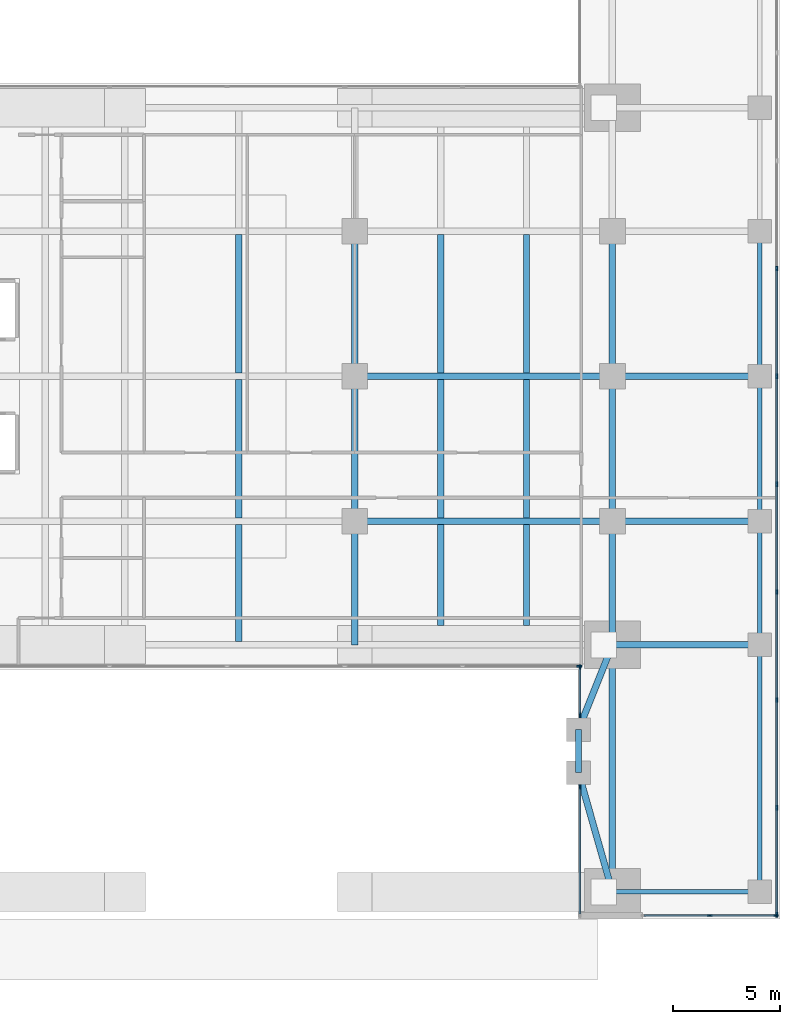
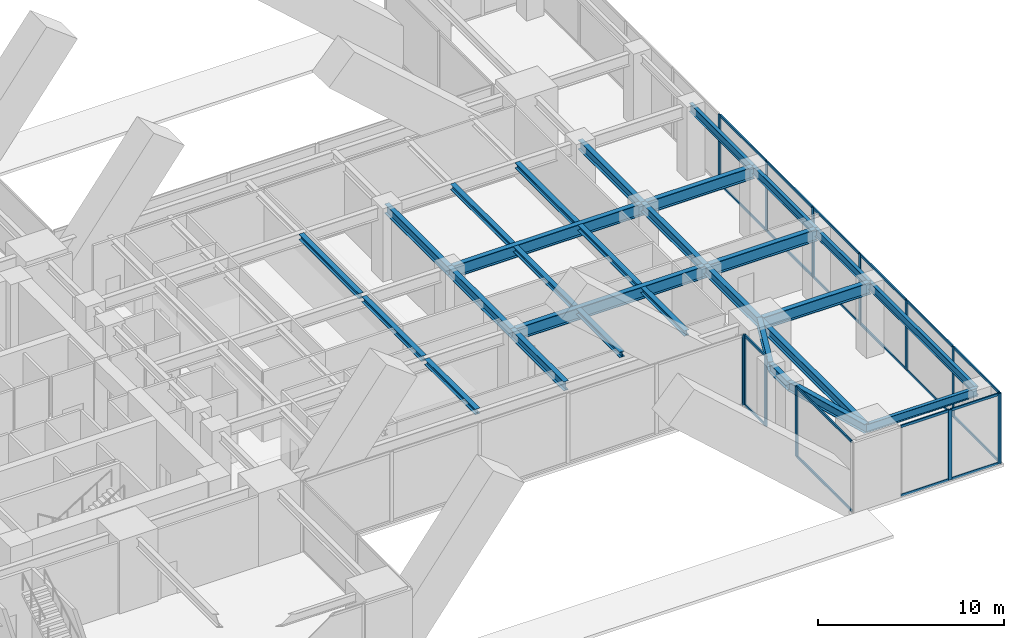
# One storey, part 4 of 13: 33 members, 29 beams, 5 elements without a shape of their own.
"""IFC4 building model written with IfcOpenShell, lengths in metres."""

from ifc_helpers import new_model, si_unit, direction, frame, origin, origin_2d, place, context, subcontext, project, spatial, rectangle, i_section, extrude, material, layer, layer_set, material_profile, profile_set, type_object, element, aggregate, save


model = new_model("IFC4")

# Units and contexts
model_context = context("Model", 3, precision=1e-05, world=origin(), true_north=direction((0.0, 1.0)))
body_context = subcontext(model_context, "Body", "Model", "MODEL_VIEW")
ifc_project = project(units=[si_unit("LENGTHUNIT", "METRE"), si_unit("AREAUNIT", "SQUARE_METRE"), si_unit("VOLUMEUNIT", "CUBIC_METRE"), si_unit("PLANEANGLEUNIT", "RADIAN"), si_unit("MASSUNIT", "GRAM", prefix="KILO")], contexts=[model_context])

# Site, building, storey
site_placement = place(None, origin())
site = spatial("IfcSite", under=ifc_project, at=site_placement, CompositionType="ELEMENT")
building_placement = place(site_placement, origin())
building = spatial("IfcBuilding", under=site, at=building_placement, Name="Kinhvarn Gate Tower", CompositionType="ELEMENT")
storey_placement = place(building_placement, frame((0.0, 0.0, 6.0)))
storey = spatial("IfcBuildingStorey", under=building, at=storey_placement, Name="L01", CompositionType="ELEMENT", Elevation=6.0)

# Curtain wall, members
ifc_material_1 = material(Name="Anodised aluminium AW-6063", Category="aluminium")
ifc_layer = layer(ifc_material_1, 0.219970703125)
ifc_layer_set = layer_set([ifc_layer], Name="Anodised aluminium AW-6063")
curtain_wall_type = type_object("IfcCurtainWallType", Name="CW-SYS-1", PredefinedType="NOTDEFINED", material=ifc_layer_set)
curtain_wall_1_placement = place(storey_placement, origin())
curtain_wall_1 = element("IfcCurtainWall", 1, at=curtain_wall_1_placement, inside=storey, type_object=curtain_wall_type, Name="Curtain Wall CW1 (L01)", PredefinedType="NOTDEFINED")
ifc_material_profile_1 = material_profile(ifc_material_1, rectangle(XDim=0.080078125, YDim=0.219970703125, at=origin_2d()), Name="ALU 80x220")
ifc_profile_set_1 = profile_set([ifc_material_profile_1], Name="Anodised aluminium AW-6063")
member_type_1 = type_object("IfcMemberType", Name="CW-MUL-220", PredefinedType="MULLION", material=ifc_profile_set_1)
member_1_placement = place(storey_placement, frame((54.72509765625, 0.14990234375, 0.0), z_axis=(0.0, 0.0, 1.0), x_axis=(0.0, 1.0, 0.0)))
member_1 = element("IfcMember", 2, at=member_1_placement, type_object=member_type_1, Name="CW1 mullion 2", PredefinedType="MULLION", context=body_context, shape_type="SweptSolid", body=[
    extrude(rectangle(XDim=0.080078125, YDim=0.219970703125, at=origin_2d()), origin(), (0.0, 0.0, 1.0), 4.60009765625),
])
member_2_placement = place(storey_placement, frame((57.81005859375, 0.14990234375, 0.0), z_axis=(0.0, 0.0, 1.0), x_axis=(0.0, 1.0, 0.0)))
member_2 = element("IfcMember", 3, at=member_2_placement, type_object=member_type_1, Name="CW1 mullion 3", PredefinedType="MULLION", context=body_context, shape_type="SweptSolid", body=[
    extrude(rectangle(XDim=0.080078125, YDim=0.219970703125, at=origin_2d()), origin(), (0.0, 0.0, 1.0), 4.60009765625),
])

curtain_wall_2_placement = place(storey_placement, origin())
curtain_wall_2 = element("IfcCurtainWall", 4, at=curtain_wall_2_placement, inside=storey, type_object=curtain_wall_type, Name="Curtain Wall CW1 (L01)", PredefinedType="NOTDEFINED")
member_3_placement = place(storey_placement, frame((57.85009765625, 0.18994140625, 0.0), z_axis=(0.0, 0.0, 1.0), x_axis=(-1.0, 0.0, 0.0)))
member_3 = element("IfcMember", 5, at=member_3_placement, type_object=member_type_1, Name="CW1 mullion 1", PredefinedType="MULLION", context=body_context, shape_type="SweptSolid", body=[
    extrude(rectangle(XDim=0.080078125, YDim=0.219970703125, at=origin_2d()), origin(), (0.0, 0.0, 1.0), 4.60009765625),
])
member_4_placement = place(storey_placement, frame((57.85009765625, 5.169921875, 0.0), z_axis=(0.0, 0.0, 1.0), x_axis=(-1.0, 0.0, 0.0)))
member_4 = element("IfcMember", 6, at=member_4_placement, type_object=member_type_1, Name="CW1 mullion 2", PredefinedType="MULLION", context=body_context, shape_type="SweptSolid", body=[
    extrude(rectangle(XDim=0.080078125, YDim=0.219970703125, at=origin_2d()), origin(), (0.0, 0.0, 1.0), 4.60009765625),
])
member_5_placement = place(storey_placement, frame((57.85009765625, 10.18994140625, 0.0), z_axis=(0.0, 0.0, 1.0), x_axis=(-1.0, 0.0, 0.0)))
member_5 = element("IfcMember", 7, at=member_5_placement, type_object=member_type_1, Name="CW1 mullion 3", PredefinedType="MULLION", context=body_context, shape_type="SweptSolid", body=[
    extrude(rectangle(XDim=0.080078125, YDim=0.219970703125, at=origin_2d()), origin(), (0.0, 0.0, 1.0), 4.60009765625),
])
member_6_placement = place(storey_placement, frame((57.85009765625, 15.2099609375, 0.0), z_axis=(0.0, 0.0, 1.0), x_axis=(-1.0, 0.0, 0.0)))
member_6 = element("IfcMember", 8, at=member_6_placement, type_object=member_type_1, Name="CW1 mullion 4", PredefinedType="MULLION", context=body_context, shape_type="SweptSolid", body=[
    extrude(rectangle(XDim=0.080078125, YDim=0.219970703125, at=origin_2d()), origin(), (0.0, 0.0, 1.0), 4.60009765625),
])
member_7_placement = place(storey_placement, frame((57.85009765625, 20.22998046875, 0.0), z_axis=(0.0, 0.0, 1.0), x_axis=(-1.0, 0.0, 0.0)))
member_7 = element("IfcMember", 9, at=member_7_placement, type_object=member_type_1, Name="CW1 mullion 5", PredefinedType="MULLION", context=body_context, shape_type="SweptSolid", body=[
    extrude(rectangle(XDim=0.080078125, YDim=0.219970703125, at=origin_2d()), origin(), (0.0, 0.0, 1.0), 4.60009765625),
])
member_8_placement = place(storey_placement, frame((57.85009765625, 25.25, 0.0), z_axis=(0.0, 0.0, 1.0), x_axis=(-1.0, 0.0, 0.0)))
member_8 = element("IfcMember", 10, at=member_8_placement, type_object=member_type_1, Name="CW1 mullion 6", PredefinedType="MULLION", context=body_context, shape_type="SweptSolid", body=[
    extrude(rectangle(XDim=0.080078125, YDim=0.219970703125, at=origin_2d()), origin(), (0.0, 0.0, 1.0), 4.60009765625),
])
member_9_placement = place(storey_placement, frame((57.85009765625, 30.27001953125, 0.0), z_axis=(0.0, 0.0, 1.0), x_axis=(-1.0, 0.0, 0.0)))
member_9 = element("IfcMember", 11, at=member_9_placement, type_object=member_type_1, Name="CW1 mullion 7", PredefinedType="MULLION", context=body_context, shape_type="SweptSolid", body=[
    extrude(rectangle(XDim=0.080078125, YDim=0.219970703125, at=origin_2d()), origin(), (0.0, 0.0, 1.0), 4.60009765625),
])

# Curtain wall, member
curtain_wall_3_placement = place(storey_placement, origin())
curtain_wall_3 = element("IfcCurtainWall", 12, at=curtain_wall_3_placement, inside=storey, type_object=curtain_wall_type, Name="Curtain Wall CW1 (L01)", PredefinedType="NOTDEFINED")
member_10_placement = place(storey_placement, frame((48.64990234375, 11.760009765625, 0.0), z_axis=(0.0, 0.0, 1.0), x_axis=(0.0, 1.0, 0.0)))
member_10 = element("IfcMember", 13, at=member_10_placement, type_object=member_type_1, Name="CW1 mullion 6", PredefinedType="MULLION", context=body_context, shape_type="SweptSolid", body=[
    extrude(rectangle(XDim=0.080078125, YDim=0.219970703125, at=origin_2d()), origin(), (0.0, 0.0, 1.0), 4.60009765625),
])
aggregate(curtain_wall_3, [member_10])

# Curtain wall, members
curtain_wall_4_placement = place(storey_placement, origin())
curtain_wall_4 = element("IfcCurtainWall", 14, at=curtain_wall_4_placement, inside=storey, type_object=curtain_wall_type, Name="Curtain Wall CW1 (L01)", PredefinedType="NOTDEFINED")
member_11_placement = place(storey_placement, frame((48.68994140625, 11.719970703125, 0.0), z_axis=(0.0, 0.0, 1.0), x_axis=(1.0, 0.0, 0.0)))
member_11 = element("IfcMember", 15, at=member_11_placement, type_object=member_type_1, Name="CW1 mullion 1", PredefinedType="MULLION", context=body_context, shape_type="SweptSolid", body=[
    extrude(rectangle(XDim=0.080078125, YDim=0.219970703125, at=origin_2d()), origin(), (0.0, 0.0, 1.0), 4.60009765625),
])
member_12_placement = place(storey_placement, frame((48.68994140625, 9.469970703125, 0.0), z_axis=(0.0, 0.0, 1.0), x_axis=(1.0, 0.0, 0.0)))
member_12 = element("IfcMember", 16, at=member_12_placement, type_object=member_type_1, Name="CW1 mullion 2", PredefinedType="MULLION", context=body_context, shape_type="SweptSolid", body=[
    extrude(rectangle(XDim=0.080078125, YDim=0.219970703125, at=origin_2d()), origin(), (0.0, 0.0, 1.0), 4.60009765625),
])

# Curtain wall, member
curtain_wall_5_placement = place(storey_placement, origin())
curtain_wall_5 = element("IfcCurtainWall", 17, at=curtain_wall_5_placement, inside=storey, type_object=curtain_wall_type, Name="Curtain Wall CW1 (L01)", PredefinedType="NOTDEFINED")
member_13_placement = place(storey_placement, frame((48.68994140625, 6.1298828125, 0.0), z_axis=(0.0, 0.0, 1.0), x_axis=(1.0, 0.0, 0.0)))
member_13 = element("IfcMember", 18, at=member_13_placement, type_object=member_type_1, Name="CW1 mullion 1", PredefinedType="MULLION", context=body_context, shape_type="SweptSolid", body=[
    extrude(rectangle(XDim=0.080078125, YDim=0.219970703125, at=origin_2d()), origin(), (0.0, 0.0, 1.0), 4.60009765625),
])

# Member
ifc_material_profile_2 = material_profile(ifc_material_1, rectangle(XDim=0.080078125, YDim=0.159912109375, at=origin_2d()), Name="ALU 80x160")
ifc_profile_set_2 = profile_set([ifc_material_profile_2], Name="Anodised aluminium AW-6063")
member_type_2 = type_object("IfcMemberType", Name="CW-TRN-160", PredefinedType="USERDEFINED", material=ifc_profile_set_2)
member_14_placement = place(storey_placement, frame((51.679931640625, 0.14990234375, 0.0400390625), z_axis=(1.0, 0.0, 0.0), x_axis=(0.0, 1.0, 0.0)))
member_14 = element("IfcMember", 19, at=member_14_placement, type_object=member_type_2, Name="CW1 transom 1.1", ObjectType="TRANSOM", PredefinedType="USERDEFINED", context=body_context, shape_type="SweptSolid", body=[
    extrude(rectangle(XDim=0.080078125, YDim=0.159912109375, at=origin_2d()), origin(), (0.0, 0.0, 1.0), 3.005126953125),
])

member_15_placement = place(storey_placement, frame((51.679931640625, 0.14990234375, 4.56005859375), z_axis=(1.0, 0.0, 0.0), x_axis=(0.0, 1.0, 0.0)))
member_15 = element("IfcMember", 20, at=member_15_placement, type_object=member_type_2, Name="CW1 transom 1.2", ObjectType="TRANSOM", PredefinedType="USERDEFINED", context=body_context, shape_type="SweptSolid", body=[
    extrude(rectangle(XDim=0.080078125, YDim=0.159912109375, at=origin_2d()), origin(), (0.0, 0.0, 1.0), 3.005126953125),
])

member_16_placement = place(storey_placement, frame((54.764892578125, 0.14990234375, 0.0400390625), z_axis=(1.0, 0.0, 0.0), x_axis=(0.0, 1.0, 0.0)))
member_16 = element("IfcMember", 21, at=member_16_placement, type_object=member_type_2, Name="CW1 transom 2.1", ObjectType="TRANSOM", PredefinedType="USERDEFINED", context=body_context, shape_type="SweptSolid", body=[
    extrude(rectangle(XDim=0.080078125, YDim=0.159912109375, at=origin_2d()), origin(), (0.0, 0.0, 1.0), 3.005126953125),
])

member_17_placement = place(storey_placement, frame((54.764892578125, 0.14990234375, 4.56005859375), z_axis=(1.0, 0.0, 0.0), x_axis=(0.0, 1.0, 0.0)))
member_17 = element("IfcMember", 22, at=member_17_placement, type_object=member_type_2, Name="CW1 transom 2.2", ObjectType="TRANSOM", PredefinedType="USERDEFINED", context=body_context, shape_type="SweptSolid", body=[
    extrude(rectangle(XDim=0.080078125, YDim=0.159912109375, at=origin_2d()), origin(), (0.0, 0.0, 1.0), 3.005126953125),
])

aggregate(curtain_wall_1, [member_1, member_2, member_14, member_15, member_16, member_17])

member_18_placement = place(storey_placement, frame((57.85009765625, 0.22998046875, 0.0400390625), z_axis=(0.0, 1.0, 0.0), x_axis=(-1.0, 0.0, 0.0)))
member_18 = element("IfcMember", 23, at=member_18_placement, type_object=member_type_2, Name="CW1 transom 1.1", ObjectType="TRANSOM", PredefinedType="USERDEFINED", context=body_context, shape_type="SweptSolid", body=[
    extrude(rectangle(XDim=0.080078125, YDim=0.159912109375, at=origin_2d()), origin(), (0.0, 0.0, 1.0), 4.89990234375),
])

member_19_placement = place(storey_placement, frame((57.85009765625, 0.22998046875, 4.56005859375), z_axis=(0.0, 1.0, 0.0), x_axis=(-1.0, 0.0, 0.0)))
member_19 = element("IfcMember", 24, at=member_19_placement, type_object=member_type_2, Name="CW1 transom 1.2", ObjectType="TRANSOM", PredefinedType="USERDEFINED", context=body_context, shape_type="SweptSolid", body=[
    extrude(rectangle(XDim=0.080078125, YDim=0.159912109375, at=origin_2d()), origin(), (0.0, 0.0, 1.0), 4.89990234375),
])

member_20_placement = place(storey_placement, frame((57.85009765625, 5.2099609375, 0.0400390625), z_axis=(0.0, 1.0, 0.0), x_axis=(-1.0, 0.0, 0.0)))
member_20 = element("IfcMember", 25, at=member_20_placement, type_object=member_type_2, Name="CW1 transom 2.1", ObjectType="TRANSOM", PredefinedType="USERDEFINED", context=body_context, shape_type="SweptSolid", body=[
    extrude(rectangle(XDim=0.080078125, YDim=0.159912109375, at=origin_2d()), origin(), (0.0, 0.0, 1.0), 4.93994140625),
])

member_21_placement = place(storey_placement, frame((57.85009765625, 5.2099609375, 4.56005859375), z_axis=(0.0, 1.0, 0.0), x_axis=(-1.0, 0.0, 0.0)))
member_21 = element("IfcMember", 26, at=member_21_placement, type_object=member_type_2, Name="CW1 transom 2.2", ObjectType="TRANSOM", PredefinedType="USERDEFINED", context=body_context, shape_type="SweptSolid", body=[
    extrude(rectangle(XDim=0.080078125, YDim=0.159912109375, at=origin_2d()), origin(), (0.0, 0.0, 1.0), 4.93994140625),
])

member_22_placement = place(storey_placement, frame((57.85009765625, 10.22998046875, 0.0400390625), z_axis=(0.0, 1.0, 0.0), x_axis=(-1.0, 0.0, 0.0)))
member_22 = element("IfcMember", 27, at=member_22_placement, type_object=member_type_2, Name="CW1 transom 3.1", ObjectType="TRANSOM", PredefinedType="USERDEFINED", context=body_context, shape_type="SweptSolid", body=[
    extrude(rectangle(XDim=0.080078125, YDim=0.159912109375, at=origin_2d()), origin(), (0.0, 0.0, 1.0), 4.93994140625),
])

member_23_placement = place(storey_placement, frame((57.85009765625, 10.22998046875, 4.56005859375), z_axis=(0.0, 1.0, 0.0), x_axis=(-1.0, 0.0, 0.0)))
member_23 = element("IfcMember", 28, at=member_23_placement, type_object=member_type_2, Name="CW1 transom 3.2", ObjectType="TRANSOM", PredefinedType="USERDEFINED", context=body_context, shape_type="SweptSolid", body=[
    extrude(rectangle(XDim=0.080078125, YDim=0.159912109375, at=origin_2d()), origin(), (0.0, 0.0, 1.0), 4.93994140625),
])

member_24_placement = place(storey_placement, frame((57.85009765625, 15.25, 0.0400390625), z_axis=(0.0, 1.0, 0.0), x_axis=(-1.0, 0.0, 0.0)))
member_24 = element("IfcMember", 29, at=member_24_placement, type_object=member_type_2, Name="CW1 transom 4.1", ObjectType="TRANSOM", PredefinedType="USERDEFINED", context=body_context, shape_type="SweptSolid", body=[
    extrude(rectangle(XDim=0.080078125, YDim=0.159912109375, at=origin_2d()), origin(), (0.0, 0.0, 1.0), 4.93994140625),
])

member_25_placement = place(storey_placement, frame((57.85009765625, 15.25, 4.56005859375), z_axis=(0.0, 1.0, 0.0), x_axis=(-1.0, 0.0, 0.0)))
member_25 = element("IfcMember", 30, at=member_25_placement, type_object=member_type_2, Name="CW1 transom 4.2", ObjectType="TRANSOM", PredefinedType="USERDEFINED", context=body_context, shape_type="SweptSolid", body=[
    extrude(rectangle(XDim=0.080078125, YDim=0.159912109375, at=origin_2d()), origin(), (0.0, 0.0, 1.0), 4.93994140625),
])

member_26_placement = place(storey_placement, frame((57.85009765625, 20.27001953125, 0.0400390625), z_axis=(0.0, 1.0, 0.0), x_axis=(-1.0, 0.0, 0.0)))
member_26 = element("IfcMember", 31, at=member_26_placement, type_object=member_type_2, Name="CW1 transom 5.1", ObjectType="TRANSOM", PredefinedType="USERDEFINED", context=body_context, shape_type="SweptSolid", body=[
    extrude(rectangle(XDim=0.080078125, YDim=0.159912109375, at=origin_2d()), origin(), (0.0, 0.0, 1.0), 4.93994140625),
])

member_27_placement = place(storey_placement, frame((57.85009765625, 20.27001953125, 4.56005859375), z_axis=(0.0, 1.0, 0.0), x_axis=(-1.0, 0.0, 0.0)))
member_27 = element("IfcMember", 32, at=member_27_placement, type_object=member_type_2, Name="CW1 transom 5.2", ObjectType="TRANSOM", PredefinedType="USERDEFINED", context=body_context, shape_type="SweptSolid", body=[
    extrude(rectangle(XDim=0.080078125, YDim=0.159912109375, at=origin_2d()), origin(), (0.0, 0.0, 1.0), 4.93994140625),
])

member_28_placement = place(storey_placement, frame((57.85009765625, 25.2900390625, 0.0400390625), z_axis=(0.0, 1.0, 0.0), x_axis=(-1.0, 0.0, 0.0)))
member_28 = element("IfcMember", 33, at=member_28_placement, type_object=member_type_2, Name="CW1 transom 6.1", ObjectType="TRANSOM", PredefinedType="USERDEFINED", context=body_context, shape_type="SweptSolid", body=[
    extrude(rectangle(XDim=0.080078125, YDim=0.159912109375, at=origin_2d()), origin(), (0.0, 0.0, 1.0), 4.93994140625),
])

member_29_placement = place(storey_placement, frame((57.85009765625, 25.2900390625, 4.56005859375), z_axis=(0.0, 1.0, 0.0), x_axis=(-1.0, 0.0, 0.0)))
member_29 = element("IfcMember", 34, at=member_29_placement, type_object=member_type_2, Name="CW1 transom 6.2", ObjectType="TRANSOM", PredefinedType="USERDEFINED", context=body_context, shape_type="SweptSolid", body=[
    extrude(rectangle(XDim=0.080078125, YDim=0.159912109375, at=origin_2d()), origin(), (0.0, 0.0, 1.0), 4.93994140625),
])

aggregate(curtain_wall_2, [member_3, member_4, member_5, member_6, member_7, member_8, member_9, member_18, member_19, member_20, member_21, member_22, member_23, member_24, member_25, member_26, member_27, member_28, member_29])

member_30_placement = place(storey_placement, frame((48.68994140625, 11.679931640625, 0.0400390625), z_axis=(0.0, -1.0, 0.0), x_axis=(1.0, 0.0, 0.0)))
member_30 = element("IfcMember", 35, at=member_30_placement, type_object=member_type_2, Name="CW1 transom 1.1", ObjectType="TRANSOM", PredefinedType="USERDEFINED", context=body_context, shape_type="SweptSolid", body=[
    extrude(rectangle(XDim=0.080078125, YDim=0.159912109375, at=origin_2d()), origin(), (0.0, 0.0, 1.0), 2.169921875),
])

member_31_placement = place(storey_placement, frame((48.68994140625, 11.679931640625, 4.56005859375), z_axis=(0.0, -1.0, 0.0), x_axis=(1.0, 0.0, 0.0)))
member_31 = element("IfcMember", 36, at=member_31_placement, type_object=member_type_2, Name="CW1 transom 1.2", ObjectType="TRANSOM", PredefinedType="USERDEFINED", context=body_context, shape_type="SweptSolid", body=[
    extrude(rectangle(XDim=0.080078125, YDim=0.159912109375, at=origin_2d()), origin(), (0.0, 0.0, 1.0), 2.169921875),
])

aggregate(curtain_wall_4, [member_11, member_12, member_30, member_31])

member_32_placement = place(storey_placement, frame((48.68994140625, 6.090087890625, 0.0400390625), z_axis=(0.0, -1.0, 0.0), x_axis=(1.0, 0.0, 0.0)))
member_32 = element("IfcMember", 37, at=member_32_placement, type_object=member_type_2, Name="CW1 transom 1.1", ObjectType="TRANSOM", PredefinedType="USERDEFINED", context=body_context, shape_type="SweptSolid", body=[
    extrude(rectangle(XDim=0.080078125, YDim=0.159912109375, at=origin_2d()), origin(), (0.0, 0.0, 1.0), 5.860107421875),
])

member_33_placement = place(storey_placement, frame((48.68994140625, 6.090087890625, 4.56005859375), z_axis=(0.0, -1.0, 0.0), x_axis=(1.0, 0.0, 0.0)))
member_33 = element("IfcMember", 38, at=member_33_placement, type_object=member_type_2, Name="CW1 transom 1.2", ObjectType="TRANSOM", PredefinedType="USERDEFINED", context=body_context, shape_type="SweptSolid", body=[
    extrude(rectangle(XDim=0.080078125, YDim=0.159912109375, at=origin_2d()), origin(), (0.0, 0.0, 1.0), 5.860107421875),
])

aggregate(curtain_wall_5, [member_13, member_32, member_33])

# Beams
ifc_material_2 = material(Name="Steel S355", Category="steel")
ifc_material_profile_3 = material_profile(ifc_material_2, i_section(OverallWidth=0.300048828125, OverallDepth=0.360107421875, WebThickness=0.012451171875, FlangeThickness=0.0224609375, at=origin_2d()), Name="HEB 360")
ifc_profile_set_3 = profile_set([ifc_material_profile_3], Name="Steel S355")
beam_type_1 = type_object("IfcBeamType", Name="STL-HEB360", PredefinedType="BEAM", material=ifc_profile_set_3)
beam_1_placement = place(storey_placement, frame((32.800048828125, 12.89990234375, 4.419921875), z_axis=(0.0, 1.0, 0.0), x_axis=(-1.0, 0.0, 0.0)))
element("IfcBeam", 39, at=beam_1_placement, inside=storey, type_object=beam_type_1, Name="Floor Beam PG-11 (L01 POD-J328-12)", PredefinedType="BEAM", context=body_context, shape_type="SweptSolid", body=[
    extrude(i_section(OverallWidth=0.300048828125, OverallDepth=0.360107421875, WebThickness=0.012451171875, FlangeThickness=0.0224609375, at=origin_2d()), origin(), (0.0, 0.0, 1.0), 5.4501953125),
])
for number, where, z_axis, x_axis, name in (
    (40, (42.199951171875, 13.64990234375, 4.419921875), (0.0, 1.0, 0.0), (-1.0, 0.0, 0.0), "Floor Beam PG-11 (L01 POD-J422-12)"),
    (41, (46.199951171875, 13.64990234375, 4.419921875), (0.0, 1.0, 0.0), (-1.0, 0.0, 0.0), "Floor Beam PG-11 (L01 POD-J462-12)"),
):
    element("IfcBeam", number, at=place(storey_placement, frame(where, z_axis=z_axis, x_axis=x_axis)), inside=storey, type_object=beam_type_1, Name=name, PredefinedType="BEAM", context=body_context, shape_type="SweptSolid", body=[
        extrude(i_section(OverallWidth=0.300048828125, OverallDepth=0.360107421875, WebThickness=0.012451171875, FlangeThickness=0.0224609375, at=origin_2d()), origin(), (0.0, 0.0, 1.0), 4.7001953125),
    ])
for number, where, z_axis, x_axis, name in (
    (42, (32.800048828125, 18.64990234375, 4.419921875), (0.0, 1.0, 0.0), (-1.0, 0.0, 0.0), "Floor Beam PG-11 (L01 POD-J328-18)"),
    (43, (42.199951171875, 18.64990234375, 4.419921875), (0.0, 1.0, 0.0), (-1.0, 0.0, 0.0), "Floor Beam PG-11 (L01 POD-J422-18)"),
    (44, (46.199951171875, 18.64990234375, 4.419921875), (0.0, 1.0, 0.0), (-1.0, 0.0, 0.0), "Floor Beam PG-11 (L01 POD-J462-18)"),
    (45, (32.800048828125, 25.39990234375, 4.419921875), (0.0, 1.0, 0.0), (-1.0, 0.0, 0.0), "Floor Beam PG-11 (L01 POD-J328-25)"),
    (46, (42.199951171875, 25.39990234375, 4.419921875), (0.0, 1.0, 0.0), (-1.0, 0.0, 0.0), "Floor Beam PG-11 (L01 POD-J422-25)"),
    (47, (46.199951171875, 25.39990234375, 4.419921875), (0.0, 1.0, 0.0), (-1.0, 0.0, 0.0), "Floor Beam PG-11 (L01 POD-J462-25)"),
):
    element("IfcBeam", number, at=place(storey_placement, frame(where, z_axis=z_axis, x_axis=x_axis)), inside=storey, type_object=beam_type_1, Name=name, PredefinedType="BEAM", context=body_context, shape_type="SweptSolid", body=[
        extrude(i_section(OverallWidth=0.300048828125, OverallDepth=0.360107421875, WebThickness=0.012451171875, FlangeThickness=0.0224609375, at=origin_2d()), origin(), (0.0, 0.0, 1.0), 6.4501953125),
    ])
ifc_material_profile_4 = material_profile(ifc_material_2, i_section(OverallWidth=0.300048828125, OverallDepth=0.60009765625, WebThickness=0.015380859375, FlangeThickness=0.030029296875, at=origin_2d()), Name="HEB 600")
ifc_profile_set_4 = profile_set([ifc_material_profile_4], Name="Steel S355")
beam_type_2 = type_object("IfcBeamType", Name="STL-HEB600", PredefinedType="BEAM", material=ifc_profile_set_4)
beam_2_placement = place(storey_placement, frame((48.6201171875, 6.800048828125, 4.300048828125), z_axis=(0.273776643474, -0.961793298733, 0.0), x_axis=(0.961793298733, 0.273776643474, 0.0)))
element("IfcBeam", 48, at=beam_2_placement, inside=storey, type_object=beam_type_2, Name="Floor Beam PG-16 (L01 TIE-SE1-AP)", PredefinedType="BEAM", context=body_context, shape_type="SweptSolid", body=[
    extrude(i_section(OverallWidth=0.300048828125, OverallDepth=0.60009765625, WebThickness=0.015380859375, FlangeThickness=0.030029296875, at=origin_2d()), origin(), (0.0, 0.0, 1.0), 5.7705078125),
])
beam_3_placement = place(storey_placement, frame((48.6201171875, 6.800048828125, 4.300048828125), z_axis=(0.0, 1.0, 0.0), x_axis=(-1.0, 0.0, 0.0)))
element("IfcBeam", 49, at=beam_3_placement, inside=storey, type_object=beam_type_2, Name="Floor Beam PG-16 (L01 TIE-SE1-M)", PredefinedType="BEAM", context=body_context, shape_type="SweptSolid", body=[
    extrude(i_section(OverallWidth=0.300048828125, OverallDepth=0.60009765625, WebThickness=0.015380859375, FlangeThickness=0.030029296875, at=origin_2d()), origin(), (0.0, 0.0, 1.0), 2.0),
])
beam_4_placement = place(storey_placement, frame((48.6201171875, 8.800048828125, 4.300048828125), z_axis=(0.371360992457, 0.928488563894, 0.0), x_axis=(-0.928488563894, 0.371360992457, 0.0)))
element("IfcBeam", 50, at=beam_4_placement, inside=storey, type_object=beam_type_2, Name="Floor Beam PG-16 (L01 TIE-SE1-N)", PredefinedType="BEAM", context=body_context, shape_type="SweptSolid", body=[
    extrude(i_section(OverallWidth=0.300048828125, OverallDepth=0.60009765625, WebThickness=0.015380859375, FlangeThickness=0.030029296875, at=origin_2d()), origin(), (0.0, 0.0, 1.0), 4.254150390625),
])
beam_5_placement = place(storey_placement, frame((50.199951171875, 1.25, 4.300048828125), z_axis=(0.0, 1.0, 0.0), x_axis=(-1.0, 0.0, 0.0)))
element("IfcBeam", 51, at=beam_5_placement, inside=storey, type_object=beam_type_2, Name="Floor Beam PG-16 (L01 APE-1)", PredefinedType="BEAM", context=body_context, shape_type="SweptSolid", body=[
    extrude(i_section(OverallWidth=0.300048828125, OverallDepth=0.60009765625, WebThickness=0.015380859375, FlangeThickness=0.030029296875, at=origin_2d()), origin(), (0.0, 0.0, 1.0), 11.5),
])
beam_6_placement = place(storey_placement, frame((50.199951171875, 12.75, 4.300048828125), z_axis=(0.0, 1.0, 0.0), x_axis=(-1.0, 0.0, 0.0)))
element("IfcBeam", 52, at=beam_6_placement, inside=storey, type_object=beam_type_2, Name="Floor Beam PG-16 (L01 APE-2)", PredefinedType="BEAM", context=body_context, shape_type="SweptSolid", body=[
    extrude(i_section(OverallWidth=0.300048828125, OverallDepth=0.60009765625, WebThickness=0.015380859375, FlangeThickness=0.030029296875, at=origin_2d()), origin(), (0.0, 0.0, 1.0), 5.75),
])
for number, where, z_axis, x_axis, name in (
    (53, (50.199951171875, 18.5, 4.300048828125), (0.0, 1.0, 0.0), (-1.0, 0.0, 0.0), "Floor Beam PG-16 (L01 APE-3)"),
    (54, (50.199951171875, 25.25, 4.300048828125), (0.0, 1.0, 0.0), (-1.0, 0.0, 0.0), "Floor Beam PG-16 (L01 APE-4)"),
):
    element("IfcBeam", number, at=place(storey_placement, frame(where, z_axis=z_axis, x_axis=x_axis)), inside=storey, type_object=beam_type_2, Name=name, PredefinedType="BEAM", context=body_context, shape_type="SweptSolid", body=[
        extrude(i_section(OverallWidth=0.300048828125, OverallDepth=0.60009765625, WebThickness=0.015380859375, FlangeThickness=0.030029296875, at=origin_2d()), origin(), (0.0, 0.0, 1.0), 6.75),
    ])
beam_7_placement = place(storey_placement, frame((38.199951171875, 12.75, 4.300048828125), z_axis=(0.0, 1.0, 0.0), x_axis=(-1.0, 0.0, 0.0)))
element("IfcBeam", 55, at=beam_7_placement, inside=storey, type_object=beam_type_2, Name="Floor Beam PG-16 (L01 POD-NS38-12)", PredefinedType="BEAM", context=body_context, shape_type="SweptSolid", body=[
    extrude(i_section(OverallWidth=0.300048828125, OverallDepth=0.60009765625, WebThickness=0.015380859375, FlangeThickness=0.030029296875, at=origin_2d()), origin(), (0.0, 0.0, 1.0), 5.75),
])
for number, where, z_axis, x_axis, name in (
    (56, (38.199951171875, 18.5, 4.300048828125), (0.0, 1.0, 0.0), (-1.0, 0.0, 0.0), "Floor Beam PG-16 (L01 POD-NS38-18)"),
    (57, (38.199951171875, 25.25, 4.300048828125), (0.0, 1.0, 0.0), (-1.0, 0.0, 0.0), "Floor Beam PG-16 (L01 POD-NS38-25)"),
):
    element("IfcBeam", number, at=place(storey_placement, frame(where, z_axis=z_axis, x_axis=x_axis)), inside=storey, type_object=beam_type_2, Name=name, PredefinedType="BEAM", context=body_context, shape_type="SweptSolid", body=[
        extrude(i_section(OverallWidth=0.300048828125, OverallDepth=0.60009765625, WebThickness=0.015380859375, FlangeThickness=0.030029296875, at=origin_2d()), origin(), (0.0, 0.0, 1.0), 6.75),
    ])
ifc_material_profile_5 = material_profile(ifc_material_2, i_section(OverallWidth=0.300048828125, OverallDepth=0.800048828125, WebThickness=0.017578125, FlangeThickness=0.032958984375, at=origin_2d()), Name="HEB 800")
ifc_profile_set_5 = profile_set([ifc_material_profile_5], Name="Steel S355")
beam_type_3 = type_object("IfcBeamType", Name="STL-HEB800", PredefinedType="BEAM", material=ifc_profile_set_5)
for number, where, z_axis, x_axis, name in (
    (58, (50.199951171875, 12.75, 4.199951171875), (1.0, 0.0, 0.0), (0.0, 1.0, 0.0), "Floor Beam PG-19 (L01 SPS-E)"),
    (59, (50.199951171875, 18.5, 4.199951171875), (1.0, 0.0, 0.0), (0.0, 1.0, 0.0), "Floor Beam PG-19 (L01 E-MID-18)"),
    (60, (50.199951171875, 25.25, 4.199951171875), (1.0, 0.0, 0.0), (0.0, 1.0, 0.0), "Floor Beam PG-19 (L01 E-MID-25)"),
):
    element("IfcBeam", number, at=place(storey_placement, frame(where, z_axis=z_axis, x_axis=x_axis)), inside=storey, type_object=beam_type_3, Name=name, PredefinedType="BEAM", context=body_context, shape_type="SweptSolid", body=[
        extrude(i_section(OverallWidth=0.300048828125, OverallDepth=0.800048828125, WebThickness=0.017578125, FlangeThickness=0.032958984375, at=origin_2d()), origin(), (0.0, 0.0, 1.0), 6.85009765625),
    ])
for number, where, z_axis, x_axis, name in (
    (61, (38.199951171875, 18.5, 4.199951171875), (1.0, 0.0, 0.0), (0.0, 1.0, 0.0), "Floor Beam PG-19 (L01 POD-EW2-18)"),
    (62, (38.199951171875, 25.25, 4.199951171875), (1.0, 0.0, 0.0), (0.0, 1.0, 0.0), "Floor Beam PG-19 (L01 POD-EW2-25)"),
):
    element("IfcBeam", number, at=place(storey_placement, frame(where, z_axis=z_axis, x_axis=x_axis)), inside=storey, type_object=beam_type_3, Name=name, PredefinedType="BEAM", context=body_context, shape_type="SweptSolid", body=[
        extrude(i_section(OverallWidth=0.300048828125, OverallDepth=0.800048828125, WebThickness=0.017578125, FlangeThickness=0.032958984375, at=origin_2d()), origin(), (0.0, 0.0, 1.0), 12.0),
    ])
ifc_material_profile_6 = material_profile(ifc_material_2, i_section(OverallWidth=0.2099609375, OverallDepth=0.550048828125, WebThickness=0.010986328125, FlangeThickness=0.01708984375, at=origin_2d()), Name="IPE 550")
ifc_profile_set_6 = profile_set([ifc_material_profile_6], Name="Steel S355")
beam_type_4 = type_object("IfcBeamType", Name="STL-IPE550", PredefinedType="SPANDREL", material=ifc_profile_set_6)
beam_8_placement = place(storey_placement, frame((57.050048828125, 1.25, 4.324951171875), z_axis=(0.0, 1.0, 0.0), x_axis=(-1.0, 0.0, 0.0)))
element("IfcBeam", 63, at=beam_8_placement, inside=storey, type_object=beam_type_4, Name="Floor Spandrel SB-08 (L01 PERE-1)", PredefinedType="SPANDREL", context=body_context, shape_type="SweptSolid", body=[
    extrude(i_section(OverallWidth=0.2099609375, OverallDepth=0.550048828125, WebThickness=0.010986328125, FlangeThickness=0.01708984375, at=origin_2d()), origin(), (0.0, 0.0, 1.0), 11.5),
])
beam_9_placement = place(storey_placement, frame((57.050048828125, 12.75, 4.324951171875), z_axis=(0.0, 1.0, 0.0), x_axis=(-1.0, 0.0, 0.0)))
element("IfcBeam", 64, at=beam_9_placement, inside=storey, type_object=beam_type_4, Name="Floor Spandrel SB-08 (L01 PERE-2)", PredefinedType="SPANDREL", context=body_context, shape_type="SweptSolid", body=[
    extrude(i_section(OverallWidth=0.2099609375, OverallDepth=0.550048828125, WebThickness=0.010986328125, FlangeThickness=0.01708984375, at=origin_2d()), origin(), (0.0, 0.0, 1.0), 5.75),
])
for number, where, z_axis, x_axis, name in (
    (65, (57.050048828125, 18.5, 4.324951171875), (0.0, 1.0, 0.0), (-1.0, 0.0, 0.0), "Floor Spandrel SB-08 (L01 PERE-3)"),
    (66, (57.050048828125, 25.25, 4.324951171875), (0.0, 1.0, 0.0), (-1.0, 0.0, 0.0), "Floor Spandrel SB-08 (L01 PERE-4)"),
):
    element("IfcBeam", number, at=place(storey_placement, frame(where, z_axis=z_axis, x_axis=x_axis)), inside=storey, type_object=beam_type_4, Name=name, PredefinedType="SPANDREL", context=body_context, shape_type="SweptSolid", body=[
        extrude(i_section(OverallWidth=0.2099609375, OverallDepth=0.550048828125, WebThickness=0.010986328125, FlangeThickness=0.01708984375, at=origin_2d()), origin(), (0.0, 0.0, 1.0), 6.75),
    ])
beam_10_placement = place(storey_placement, frame((50.199951171875, 1.25, 4.324951171875), z_axis=(1.0, 0.0, 0.0), x_axis=(0.0, 1.0, 0.0)))
element("IfcBeam", 67, at=beam_10_placement, inside=storey, type_object=beam_type_4, Name="Floor Spandrel SB-08 (L01 SP-POD-SE)", PredefinedType="SPANDREL", context=body_context, shape_type="SweptSolid", body=[
    extrude(i_section(OverallWidth=0.2099609375, OverallDepth=0.550048828125, WebThickness=0.010986328125, FlangeThickness=0.01708984375, at=origin_2d()), origin(), (0.0, 0.0, 1.0), 6.85009765625),
])

save(model, "model.ifc")
